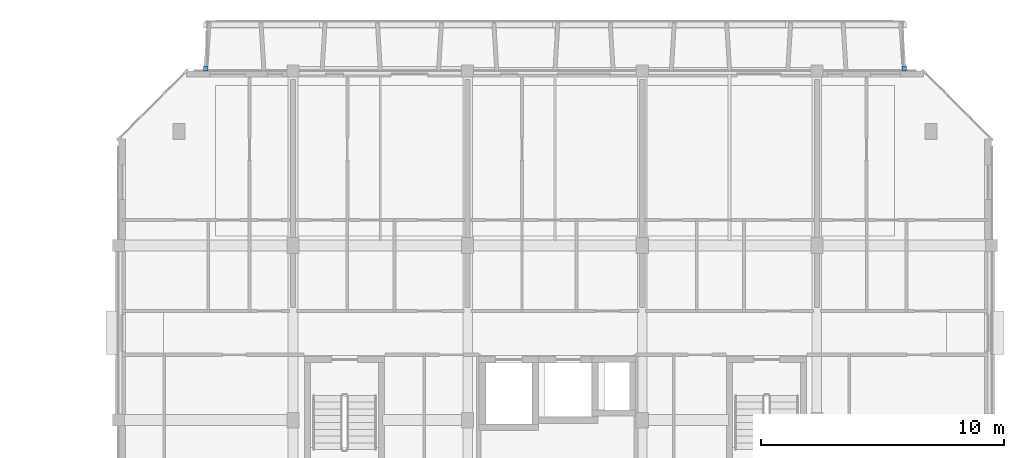
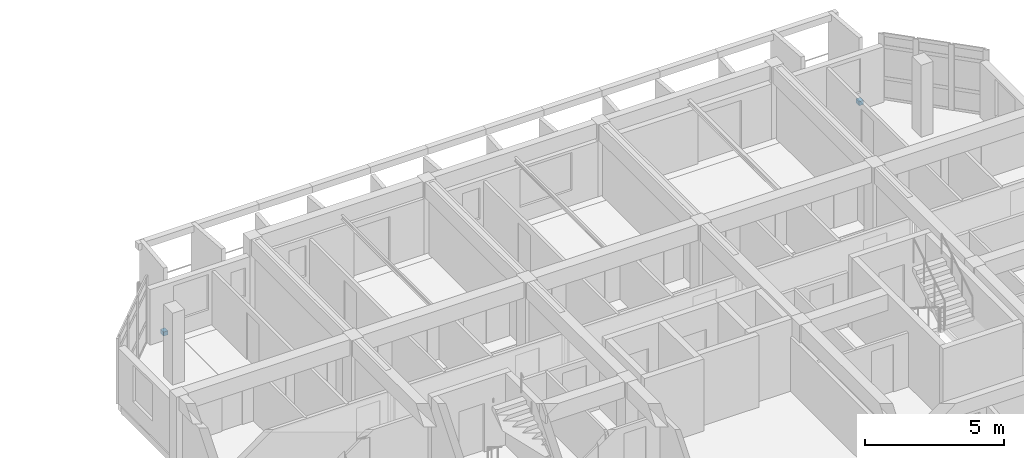
# One storey, part 35 of 46: 2 discrete accessories.
"""IFC4 building model written with IfcOpenShell, lengths in metres."""

from ifc_helpers import new_model, si_unit, direction, frame, origin, origin_2d, place, context, subcontext, project, spatial, rectangle, extrude, material, type_object, element, save


model = new_model("IFC4")

# Units and contexts
model_context = context("Model", 3, precision=1e-05, world=origin(), true_north=direction((0.0, 1.0)))
body_context = subcontext(model_context, "Body", "Model", "MODEL_VIEW")
ifc_project = project(units=[si_unit("LENGTHUNIT", "METRE"), si_unit("AREAUNIT", "SQUARE_METRE"), si_unit("VOLUMEUNIT", "CUBIC_METRE"), si_unit("PLANEANGLEUNIT", "RADIAN"), si_unit("MASSUNIT", "GRAM", prefix="KILO")], contexts=[model_context])

# Site, building, storey
site_placement = place(None, origin())
site = spatial("IfcSite", under=ifc_project, at=site_placement, CompositionType="ELEMENT")
building_placement = place(site_placement, origin())
building = spatial("IfcBuilding", under=site, at=building_placement, Name="Ochrevale Crest", CompositionType="ELEMENT")
storey_placement = place(building_placement, frame((0.0, 0.0, 24.449951171875)))
storey = spatial("IfcBuildingStorey", under=building, at=storey_placement, Name="L07", CompositionType="ELEMENT", Elevation=24.449951171875)

# Discrete accessories
ifc_material = material(Name="Galvanised steel", Category="steel")
discrete_accessory_type = type_object("IfcDiscreteAccessoryType", Name="ACC-BRK-HC", PredefinedType="BRACKET", material=ifc_material)
for number, where, z_axis, x_axis, name in (
    (1, (133.199951171875, 93.699951171875, 0.0), (0.0, 0.0, 1.0), (1.0, 0.0, 0.0), "Block D L07 precast loggia corbel bracket"),
    (2, (162.0, 93.699951171875, 0.0), (0.0, 0.0, 1.0), (1.0, 0.0, 0.0), "Block D L07 precast loggia corbel bracket"),
):
    element("IfcDiscreteAccessory", number, at=place(storey_placement, frame(where, z_axis=z_axis, x_axis=x_axis)), inside=storey, type_object=discrete_accessory_type, Name=name, PredefinedType="BRACKET", context=body_context, shape_type="SweptSolid", body=[
        extrude(rectangle(XDim=0.179931640625, YDim=0.219970703125, at=origin_2d()), origin(), (0.0, 0.0, 1.0), 0.179931640625),
    ])

save(model, "model.ifc")
